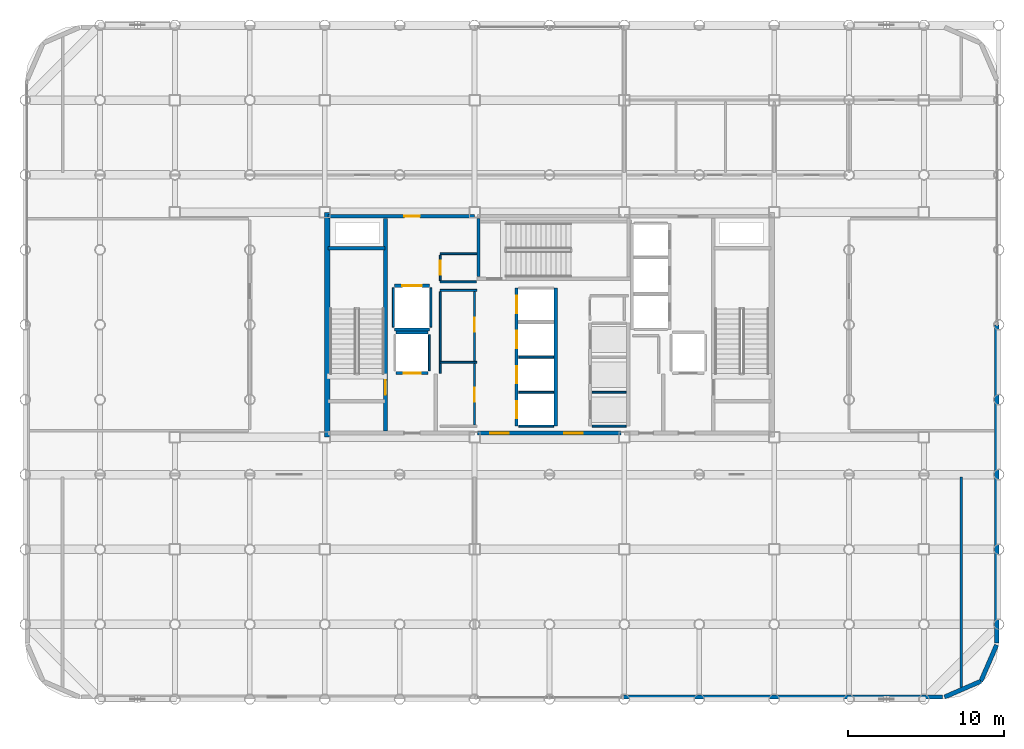
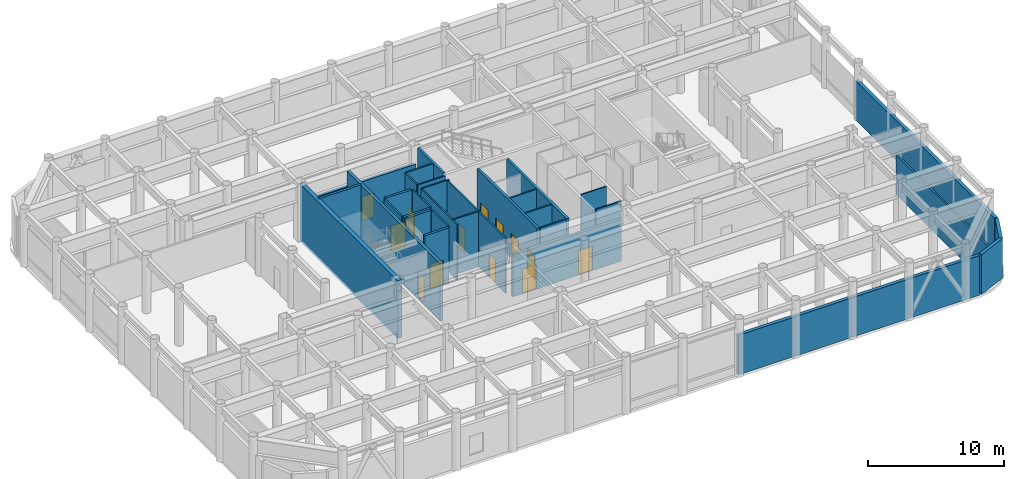
# One storey, part 16 of 20: 32 walls, 13 doors, 13 openings.
"""IFC4 building model written with IfcOpenShell, lengths in metres."""

from ifc_helpers import new_model, si_unit, direction, frame, frame_2d, origin, place, context, subcontext, project, spatial, rectangle, extrude, material, layer, layer_set, type_object, element, fill, save


model = new_model("IFC4")

# Units and contexts
model_context = context("Model", 3, precision=1e-05, world=origin(), true_north=direction((0.0, 1.0)))
body_context = subcontext(model_context, "Body", "Model", "MODEL_VIEW")
ifc_project = project(units=[si_unit("LENGTHUNIT", "METRE"), si_unit("AREAUNIT", "SQUARE_METRE"), si_unit("VOLUMEUNIT", "CUBIC_METRE"), si_unit("PLANEANGLEUNIT", "RADIAN"), si_unit("MASSUNIT", "GRAM", prefix="KILO")], contexts=[model_context])

# Site, building, storey
site_placement = place(None, origin())
site = spatial("IfcSite", under=ifc_project, at=site_placement, CompositionType="ELEMENT")
building_placement = place(site_placement, origin())
building = spatial("IfcBuilding", under=site, at=building_placement, Name="Kallvorn Hotel Tower", CompositionType="ELEMENT")
storey_placement = place(building_placement, frame((0.0, 0.0, 180.300048828125)))
storey = spatial("IfcBuildingStorey", under=building, at=storey_placement, Name="L45", CompositionType="ELEMENT", Elevation=180.300048828125)

# Walls
ifc_material_1 = material(Name="Concrete C50/60", Category="concrete")
ifc_layer_1 = layer(ifc_material_1, 0.35009765625)
ifc_layer_set_1 = layer_set([ifc_layer_1], Name="WL_CORE_350")
wall_type_1 = type_object("IfcWallType", Name="WL_CORE_350", PredefinedType="SHEAR", material=ifc_layer_set_1)
wall_1_placement = place(storey_placement, frame((-14.239990234375, -7.199951171875, -0.219970703125), z_axis=(0.0, 0.0, 1.0), x_axis=(0.0, 1.0, 0.0)))
element("IfcWall", 1, at=wall_1_placement, inside=storey, type_object=wall_type_1, Name="L45 Core West Shear Wall", PredefinedType="SHEAR", context=body_context, shape_type="SweptSolid", body=[
    extrude(rectangle(XDim=14.39990234375, YDim=0.35009765625, at=frame_2d((7.199951171875, 0.0))), origin(), (0.0, 0.0, 1.0), 5.169921875),
])
ifc_material_2 = material(Name="Precast basalt-clad insulated concrete wall C40/50", Category="masonry")
ifc_layer_2 = layer(ifc_material_2, 0.280029296875)
ifc_layer_set_2 = layer_set([ifc_layer_2], Name="WL_EXT_LOGGIA_280")
wall_type_2 = type_object("IfcWallType", Name="WL_EXT_LOGGIA_280", PredefinedType="SOLIDWALL", material=ifc_layer_set_2)
wall_2_placement = place(storey_placement, frame((25.32080078125, -23.85791015625, 0.0), z_axis=(0.0, 0.0, 1.0), x_axis=(0.917060872934, 0.398747232384, 0.0)))
element("IfcWall", 2, at=wall_2_placement, inside=storey, type_object=wall_type_2, Name="L45 Rounded Corner Exterior Wall SE1", PredefinedType="SOLIDWALL", context=body_context, shape_type="SweptSolid", body=[
    extrude(rectangle(XDim=2.5361328125, YDim=0.280029296875, at=frame_2d((1.26806640625, 0.0))), origin(), (0.0, 0.0, 1.0), 3.550048828125),
])
wall_3_placement = place(storey_placement, frame((27.646484375, -22.8466796875, 0.0), z_axis=(0.0, 0.0, 1.0), x_axis=(0.398792985289, 0.917040977756, 0.0)))
element("IfcWall", 3, at=wall_3_placement, inside=storey, type_object=wall_type_2, Name="L45 Rounded Corner Exterior Wall SE2", PredefinedType="SOLIDWALL", context=body_context, shape_type="SweptSolid", body=[
    extrude(rectangle(XDim=2.536376953125, YDim=0.280029296875, at=frame_2d((1.26806640625, 0.0))), origin(), (0.0, 0.0, 1.0), 3.550048828125),
])
wall_4_placement = place(storey_placement, frame((4.75, -23.860107421875, 0.0), z_axis=(0.0, 0.0, 1.0), x_axis=(1.0, 0.0, 0.0)))
element("IfcWall", 4, at=wall_4_placement, inside=storey, type_object=wall_type_2, Name="L45 Exterior Envelope Wall EW-L45-SE", PredefinedType="SOLIDWALL", context=body_context, shape_type="SweptSolid", body=[
    extrude(rectangle(XDim=20.449951171875, YDim=0.280029296875, at=frame_2d((10.22509765625, 0.0))), origin(), (0.0, 0.0, 1.0), 3.550048828125),
])
wall_5_placement = place(storey_placement, frame((28.659912109375, -20.39990234375, 0.0), z_axis=(0.0, 0.0, 1.0), x_axis=(0.0, 1.0, 0.0)))
element("IfcWall", 5, at=wall_5_placement, inside=storey, type_object=wall_type_2, Name="L45 Exterior Envelope Wall EW-L45-ES", PredefinedType="SOLIDWALL", context=body_context, shape_type="SweptSolid", body=[
    extrude(rectangle(XDim=20.3798828125, YDim=0.280029296875, at=frame_2d((10.18994140625, 0.0))), origin(), (0.0, 0.0, 1.0), 3.550048828125),
])
ifc_material_3 = material(Name="Concrete C40/50", Category="concrete")
ifc_layer_3 = layer(ifc_material_3, 0.199951171875)
ifc_layer_set_3 = layer_set([ifc_layer_3], Name="WL_HOIST_200")
wall_type_3 = type_object("IfcWallType", Name="WL_HOIST_200", PredefinedType="SOLIDWALL", material=ifc_layer_set_3)
wall_6_placement = place(storey_placement, frame((-14.199951171875, 4.89990234375, -0.219970703125), z_axis=(0.0, 0.0, 1.0), x_axis=(1.0, 0.0, 0.0)))
element("IfcWall", 6, at=wall_6_placement, inside=storey, type_object=wall_type_3, Name="L45 Stair ST1 North Wall", PredefinedType="SOLIDWALL", context=body_context, shape_type="SweptSolid", body=[
    extrude(rectangle(XDim=3.64990234375, YDim=0.199951171875, at=frame_2d((1.824951171875, 0.0))), origin(), (0.0, 0.0, 1.0), 5.169921875),
])
wall_7_placement = place(storey_placement, frame((-4.550048828125, 3.080078125, -0.219970703125), z_axis=(0.0, 0.0, 1.0), x_axis=(0.0, 1.0, 0.0)))
element("IfcWall", 7, at=wall_7_placement, inside=storey, type_object=wall_type_3, Name="L45 Stair ST3 West Wall", PredefinedType="SOLIDWALL", context=body_context, shape_type="SweptSolid", body=[
    extrude(rectangle(XDim=3.739990234375, YDim=0.199951171875, at=frame_2d((1.8701171875, 0.0))), origin(), (0.0, 0.0, 1.0), 5.169921875),
])

# Wall, openings, doors
wall_8_placement = place(storey_placement, frame((-2.10009765625, -6.5, 0.0), z_axis=(0.0, 0.0, 1.0), x_axis=(0.0, 1.0, 0.0)))
wall_8 = element("IfcWall", 8, at=wall_8_placement, inside=storey, type_object=wall_type_3, Name="L45 Lift Bank B2 Landing Wall", PredefinedType="SOLIDWALL", context=body_context, shape_type="SweptSolid", body=[
    extrude(rectangle(XDim=8.85009765625, YDim=0.199951171875, at=frame_2d((4.425048828125, 0.0))), origin(), (0.0, 0.0, 1.0), 4.949951171875),
])
opening_1_placement = place(wall_8_placement, frame((0.5, 0.0, 0.0)))
opening_1 = element("IfcOpeningElement", 9, at=opening_1_placement, cuts=wall_8, Name="Opening LD-PL-05", PredefinedType="OPENING", context=body_context, shape_type="SweptSolid", body=[
    extrude(rectangle(XDim=1.10009765625, YDim=2.199951171875, at=frame_2d((0.550048828125, 1.10009765625))), frame((0.0, 0.114990234375, 0.0), z_axis=(0.0, -1.0, 0.0), x_axis=(1.0, 0.0, 0.0)), (0.0, 0.0, 1.0), 0.22998046875),
])
opening_2_placement = place(wall_8_placement, frame((2.75, 0.0, 0.0)))
opening_2 = element("IfcOpeningElement", 10, at=opening_2_placement, cuts=wall_8, Name="Opening LD-PL-06", PredefinedType="OPENING", context=body_context, shape_type="SweptSolid", body=[
    extrude(rectangle(XDim=1.10009765625, YDim=2.199951171875, at=frame_2d((0.550048828125, 1.10009765625))), frame((0.0, 0.114990234375, 0.0), z_axis=(0.0, -1.0, 0.0), x_axis=(1.0, 0.0, 0.0)), (0.0, 0.0, 1.0), 0.22998046875),
])
opening_3_placement = place(wall_8_placement, frame((5.0, 0.0, 0.0)))
opening_3 = element("IfcOpeningElement", 11, at=opening_3_placement, cuts=wall_8, Name="Opening LD-PL-07", PredefinedType="OPENING", context=body_context, shape_type="SweptSolid", body=[
    extrude(rectangle(XDim=1.10009765625, YDim=2.199951171875, at=frame_2d((0.550048828125, 1.10009765625))), frame((0.0, 0.114990234375, 0.0), z_axis=(0.0, -1.0, 0.0), x_axis=(1.0, 0.0, 0.0)), (0.0, 0.0, 1.0), 0.22998046875),
])
opening_4_placement = place(wall_8_placement, frame((7.25, 0.0, 0.0)))
opening_4 = element("IfcOpeningElement", 12, at=opening_4_placement, cuts=wall_8, Name="Opening LD-PL-08", PredefinedType="OPENING", context=body_context, shape_type="SweptSolid", body=[
    extrude(rectangle(XDim=1.10009765625, YDim=2.199951171875, at=frame_2d((0.550048828125, 1.10009765625))), frame((0.0, 0.114990234375, 0.0), z_axis=(0.0, -1.0, 0.0), x_axis=(1.0, 0.0, 0.0)), (0.0, 0.0, 1.0), 0.22998046875),
])
ifc_material_4 = material(Name="Brushed stainless-steel automatic sliding lift landing door", Category="steel")
door_type_1 = type_object("IfcDoorType", Name="LD_PASS_1100x2200", OperationType="SLIDING_TO_LEFT", PredefinedType="DOOR", material=ifc_material_4)
door_1_placement = place(opening_1_placement, origin())
door_1 = element("IfcDoor", 13, at=door_1_placement, inside=storey, type_object=door_type_1, Name="L45 Lift Landing Sliding Door LD-PL-05", OperationType="SLIDING_TO_LEFT", OverallHeight=2.199951171875, OverallWidth=1.10009765625, PredefinedType="DOOR", context=body_context, shape_type="SweptSolid", body=[
    extrude(rectangle(XDim=1.10009765625, YDim=2.199951171875, at=frame_2d((0.550048828125, 1.10009765625))), frame((0.0, 0.02490234375, 0.0), z_axis=(0.0, -1.0, 0.0), x_axis=(1.0, 0.0, 0.0)), (0.0, 0.0, 1.0), 0.050048828125),
])
fill(opening_1, door_1)
door_2_placement = place(opening_2_placement, origin())
door_2 = element("IfcDoor", 14, at=door_2_placement, inside=storey, type_object=door_type_1, Name="L45 Lift Landing Sliding Door LD-PL-06", OperationType="SLIDING_TO_LEFT", OverallHeight=2.199951171875, OverallWidth=1.10009765625, PredefinedType="DOOR", context=body_context, shape_type="SweptSolid", body=[
    extrude(rectangle(XDim=1.10009765625, YDim=2.199951171875, at=frame_2d((0.550048828125, 1.10009765625))), frame((0.0, 0.02490234375, 0.0), z_axis=(0.0, -1.0, 0.0), x_axis=(1.0, 0.0, 0.0)), (0.0, 0.0, 1.0), 0.050048828125),
])
fill(opening_2, door_2)
door_3_placement = place(opening_3_placement, origin())
door_3 = element("IfcDoor", 15, at=door_3_placement, inside=storey, type_object=door_type_1, Name="L45 Lift Landing Sliding Door LD-PL-07", OperationType="SLIDING_TO_LEFT", OverallHeight=2.199951171875, OverallWidth=1.10009765625, PredefinedType="DOOR", context=body_context, shape_type="SweptSolid", body=[
    extrude(rectangle(XDim=1.10009765625, YDim=2.199951171875, at=frame_2d((0.550048828125, 1.10009765625))), frame((0.0, 0.02490234375, 0.0), z_axis=(0.0, -1.0, 0.0), x_axis=(1.0, 0.0, 0.0)), (0.0, 0.0, 1.0), 0.050048828125),
])
fill(opening_3, door_3)
door_4_placement = place(opening_4_placement, origin())
door_4 = element("IfcDoor", 16, at=door_4_placement, inside=storey, type_object=door_type_1, Name="L45 Lift Landing Sliding Door LD-PL-08", OperationType="SLIDING_TO_LEFT", OverallHeight=2.199951171875, OverallWidth=1.10009765625, PredefinedType="DOOR", context=body_context, shape_type="SweptSolid", body=[
    extrude(rectangle(XDim=1.10009765625, YDim=2.199951171875, at=frame_2d((0.550048828125, 1.10009765625))), frame((0.0, 0.02490234375, 0.0), z_axis=(0.0, -1.0, 0.0), x_axis=(1.0, 0.0, 0.0)), (0.0, 0.0, 1.0), 0.050048828125),
])
fill(opening_4, door_4)

# Wall
wall_9_placement = place(storey_placement, frame((0.39990234375, -6.5, 0.0), z_axis=(0.0, 0.0, 1.0), x_axis=(0.0, 1.0, 0.0)))
element("IfcWall", 17, at=wall_9_placement, inside=storey, type_object=wall_type_3, Name="L45 Lift Bank B2 Rear Shaft Wall", PredefinedType="SOLIDWALL", context=body_context, shape_type="SweptSolid", body=[
    extrude(rectangle(XDim=8.85009765625, YDim=0.199951171875, at=frame_2d((4.425048828125, 0.0))), origin(), (0.0, 0.0, 1.0), 4.949951171875),
])

# Wall, opening, door
wall_10_placement = place(storey_placement, frame((-9.820068359375, -3.10009765625, 0.0), z_axis=(0.0, 0.0, 1.0), x_axis=(1.0, 0.0, 0.0)))
wall_10 = element("IfcWall", 18, at=wall_10_placement, inside=storey, type_object=wall_type_3, Name="L45 FL-1 Landing Wall", PredefinedType="SOLIDWALL", context=body_context, shape_type="SweptSolid", body=[
    extrude(rectangle(XDim=2.0400390625, YDim=0.199951171875, at=frame_2d((1.02001953125, 0.0))), origin(), (0.0, 0.0, 1.0), 4.949951171875),
])
opening_5_placement = place(wall_10_placement, frame((0.469970703125, 0.0, 0.0)))
opening_5 = element("IfcOpeningElement", 19, at=opening_5_placement, cuts=wall_10, Name="Opening LD-FL-1", PredefinedType="OPENING", context=body_context, shape_type="SweptSolid", body=[
    extrude(rectangle(XDim=1.10009765625, YDim=2.199951171875, at=frame_2d((0.550048828125, 1.10009765625))), frame((0.0, 0.114990234375, 0.0), z_axis=(0.0, -1.0, 0.0), x_axis=(1.0, 0.0, 0.0)), (0.0, 0.0, 1.0), 0.22998046875),
])
door_5_placement = place(opening_5_placement, origin())
door_5 = element("IfcDoor", 20, at=door_5_placement, inside=storey, type_object=door_type_1, Name="L45 Lift Landing Sliding Door LD-FL-1", OperationType="SLIDING_TO_LEFT", OverallHeight=2.199951171875, OverallWidth=1.10009765625, PredefinedType="DOOR", context=body_context, shape_type="SweptSolid", body=[
    extrude(rectangle(XDim=1.10009765625, YDim=2.199951171875, at=frame_2d((0.550048828125, 1.10009765625))), frame((0.0, 0.02490234375, 0.0), z_axis=(0.0, -1.0, 0.0), x_axis=(1.0, 0.0, 0.0)), (0.0, 0.0, 1.0), 0.050048828125),
])
fill(opening_5, door_5)

# Wall
wall_11_placement = place(storey_placement, frame((-9.820068359375, -0.5, 0.0), z_axis=(0.0, 0.0, 1.0), x_axis=(1.0, 0.0, 0.0)))
element("IfcWall", 21, at=wall_11_placement, inside=storey, type_object=wall_type_3, Name="L45 FL-1 Rear Shaft Wall", PredefinedType="SOLIDWALL", context=body_context, shape_type="SweptSolid", body=[
    extrude(rectangle(XDim=2.0400390625, YDim=0.199951171875, at=frame_2d((1.02001953125, 0.0))), origin(), (0.0, 0.0, 1.0), 4.949951171875),
])

# Wall, opening, door
wall_12_placement = place(storey_placement, frame((-9.919921875, 2.5, 0.0), z_axis=(0.0, 0.0, 1.0), x_axis=(1.0, 0.0, 0.0)))
wall_12 = element("IfcWall", 22, at=wall_12_placement, inside=storey, type_object=wall_type_3, Name="L45 SV-01 Landing Wall", PredefinedType="SOLIDWALL", context=body_context, shape_type="SweptSolid", body=[
    extrude(rectangle(XDim=2.239990234375, YDim=0.199951171875, at=frame_2d((1.1201171875, 0.0))), origin(), (0.0, 0.0, 1.0), 4.949951171875),
])
opening_6_placement = place(wall_12_placement, frame((0.4951171875, 0.0, 0.0)))
opening_6 = element("IfcOpeningElement", 23, at=opening_6_placement, cuts=wall_12, Name="Opening LD-SV-01", PredefinedType="OPENING", context=body_context, shape_type="SweptSolid", body=[
    extrude(rectangle(XDim=1.25, YDim=2.25, at=frame_2d((0.625, 1.125))), frame((0.0, 0.114990234375, 0.0), z_axis=(0.0, -1.0, 0.0), x_axis=(1.0, 0.0, 0.0)), (0.0, 0.0, 1.0), 0.22998046875),
])
ifc_material_5 = material(Name="Brushed stainless-steel automatic sliding lift landing door", Category="steel")
door_type_2 = type_object("IfcDoorType", Name="LD_SERV_1250x2250", OperationType="SLIDING_TO_LEFT", PredefinedType="DOOR", material=ifc_material_5)
door_6_placement = place(opening_6_placement, origin())
door_6 = element("IfcDoor", 24, at=door_6_placement, inside=storey, type_object=door_type_2, Name="L45 Lift Landing Sliding Door LD-SV-01", OperationType="SLIDING_TO_LEFT", OverallHeight=2.25, OverallWidth=1.25, PredefinedType="DOOR", context=body_context, shape_type="SweptSolid", body=[
    extrude(rectangle(XDim=1.25, YDim=2.25, at=frame_2d((0.625, 1.125))), frame((0.0, 0.02490234375, 0.0), z_axis=(0.0, -1.0, 0.0), x_axis=(1.0, 0.0, 0.0)), (0.0, 0.0, 1.0), 0.050048828125),
])
fill(opening_6, door_6)

# Walls
wall_13_placement = place(storey_placement, frame((-9.919921875, -0.300048828125, 0.0), z_axis=(0.0, 0.0, 1.0), x_axis=(1.0, 0.0, 0.0)))
element("IfcWall", 25, at=wall_13_placement, inside=storey, type_object=wall_type_3, Name="L45 SV-01 Rear Shaft Wall", PredefinedType="SOLIDWALL", context=body_context, shape_type="SweptSolid", body=[
    extrude(rectangle(XDim=2.239990234375, YDim=0.199951171875, at=frame_2d((1.1201171875, 0.0))), origin(), (0.0, 0.0, 1.0), 4.949951171875),
])
ifc_material_6 = material(Name="Fire-rated double-layer acoustic gypsum drywall EI 60")
ifc_layer_4 = layer(ifc_material_6, 0.1201171875)
ifc_layer_set_4 = layer_set([ifc_layer_4], Name="WL_INT_120")
wall_type_4 = type_object("IfcWallType", Name="WL_INT_120", PredefinedType="PARTITIONING", material=ifc_layer_set_4)
for number, where, z_axis, x_axis, name in (
    (26, (-1.9599609375, -6.5, 0.0), (0.0, 0.0, 1.0), (1.0, 0.0, 0.0), "L45 Lift Bank B2 South Closure Wall"),
    (27, (-1.9599609375, -4.324951171875, 0.0), (0.0, 0.0, 1.0), (1.0, 0.0, 0.0), "L45 PL-05 Hoistway Divider"),
    (28, (-1.9599609375, -2.074951171875, 0.0), (0.0, 0.0, 1.0), (1.0, 0.0, 0.0), "L45 PL-06 Hoistway Divider"),
):
    element("IfcWall", number, at=place(storey_placement, frame(where, z_axis=z_axis, x_axis=x_axis)), inside=storey, type_object=wall_type_4, Name=name, PredefinedType="PARTITIONING", context=body_context, shape_type="SweptSolid", body=[
        extrude(rectangle(XDim=2.219970703125, YDim=0.1201171875, at=frame_2d((1.10986328125, 0.0))), origin(), (0.0, 0.0, 1.0), 4.949951171875),
    ])
for number, where, z_axis, x_axis, name in (
    (29, (2.739990234375, -6.5, 0.0), (0.0, 0.0, 1.0), (1.0, 0.0, 0.0), "L45 Lift Bank B3A South Closure Wall"),
    (30, (2.739990234375, -4.324951171875, 0.0), (0.0, 0.0, 1.0), (1.0, 0.0, 0.0), "L45 PL-09 Hoistway Divider"),
):
    element("IfcWall", number, at=place(storey_placement, frame(where, z_axis=z_axis, x_axis=x_axis)), inside=storey, type_object=wall_type_4, Name=name, PredefinedType="PARTITIONING", context=body_context, shape_type="SweptSolid", body=[
        extrude(rectangle(XDim=2.169921875, YDim=0.1201171875, at=frame_2d((1.0849609375, 0.0))), origin(), (0.0, 0.0, 1.0), 4.949951171875),
    ])
wall_14_placement = place(storey_placement, frame((-7.699951171875, -2.9599609375, 0.0), z_axis=(0.0, 0.0, 1.0), x_axis=(0.0, 1.0, 0.0)))
element("IfcWall", 31, at=wall_14_placement, inside=storey, type_object=wall_type_4, Name="L45 FL-1 East Shaft Wall", PredefinedType="PARTITIONING", context=body_context, shape_type="SweptSolid", body=[
    extrude(rectangle(XDim=2.320068359375, YDim=0.1201171875, at=frame_2d((1.16015625, 0.0))), origin(), (0.0, 0.0, 1.0), 4.949951171875),
])
for number, where, z_axis, x_axis, name in (
    (32, (-10.0, -0.159912109375, 0.0), (0.0, 0.0, 1.0), (0.0, 1.0, 0.0), "L45 SV-01 West Shaft Wall"),
    (33, (-7.60009765625, -0.159912109375, 0.0), (0.0, 0.0, 1.0), (0.0, 1.0, 0.0), "L45 SV-01 East Shaft Wall"),
):
    element("IfcWall", number, at=place(storey_placement, frame(where, z_axis=z_axis, x_axis=x_axis)), inside=storey, type_object=wall_type_4, Name=name, PredefinedType="PARTITIONING", context=body_context, shape_type="SweptSolid", body=[
        extrude(rectangle(XDim=2.52001953125, YDim=0.1201171875, at=frame_2d((1.260009765625, 0.0))), origin(), (0.0, 0.0, 1.0), 4.949951171875),
    ])
for number, where, z_axis, x_axis, name in (
    (34, (-7.0, -2.39990234375, 0.0), (0.0, 0.0, 1.0), (1.0, 0.0, 0.0), "L45 Recaptured Central Linen Store Partition"),
    (35, (-7.0, 2.199951171875, 0.0), (0.0, 0.0, 1.0), (1.0, 0.0, 0.0), "L45 Recaptured Central Linen Store Partition"),
):
    element("IfcWall", number, at=place(storey_placement, frame(where, z_axis=z_axis, x_axis=x_axis)), inside=storey, type_object=wall_type_4, Name=name, PredefinedType="PARTITIONING", context=body_context, shape_type="SweptSolid", body=[
        extrude(rectangle(XDim=2.35009765625, YDim=0.1201171875, at=frame_2d((1.175048828125, 0.0))), origin(), (0.0, 0.0, 1.0), 4.949951171875),
    ])
wall_15_placement = place(storey_placement, frame((-7.0, 2.75, 0.0), z_axis=(0.0, 0.0, 1.0), x_axis=(1.0, 0.0, 0.0)))
element("IfcWall", 36, at=wall_15_placement, inside=storey, type_object=wall_type_4, Name="L45 Recaptured North Valet Closet Partition", PredefinedType="PARTITIONING", context=body_context, shape_type="SweptSolid", body=[
    extrude(rectangle(XDim=2.31005859375, YDim=0.1201171875, at=frame_2d((1.155029296875, 0.0))), origin(), (0.0, 0.0, 1.0), 4.949951171875),
])
wall_16_placement = place(storey_placement, frame((-7.0, 4.550048828125, 0.0), z_axis=(0.0, 0.0, 1.0), x_axis=(1.0, 0.0, 0.0)))
element("IfcWall", 37, at=wall_16_placement, inside=storey, type_object=wall_type_4, Name="L45 Recaptured North Valet Closet Partition", PredefinedType="PARTITIONING", context=body_context, shape_type="SweptSolid", body=[
    extrude(rectangle(XDim=2.35009765625, YDim=0.1201171875, at=frame_2d((1.175048828125, 0.0))), origin(), (0.0, 0.0, 1.0), 4.949951171875),
])
wall_17_placement = place(storey_placement, frame((-7.0, -3.110107421875, 0.0), z_axis=(0.0, 0.0, 1.0), x_axis=(0.0, 1.0, 0.0)))
element("IfcWall", 38, at=wall_17_placement, inside=storey, type_object=wall_type_4, Name="L45 Recaptured South Minibar Pantry Partition", PredefinedType="PARTITIONING", context=body_context, shape_type="SweptSolid", body=[
    extrude(rectangle(XDim=5.22509765625, YDim=0.1201171875, at=frame_2d((2.612548828125, 0.0))), origin(), (0.0, 0.0, 1.0), 4.949951171875),
])

# Wall, opening, door
wall_18_placement = place(storey_placement, frame((-7.0, 2.8349609375, 0.0), z_axis=(0.0, 0.0, 1.0), x_axis=(0.0, 1.0, 0.0)))
wall_18 = element("IfcWall", 39, at=wall_18_placement, inside=storey, type_object=wall_type_4, Name="L45 Recaptured North Valet Closet Partition", PredefinedType="PARTITIONING", context=body_context, shape_type="SweptSolid", body=[
    extrude(rectangle(XDim=1.630126953125, YDim=0.1201171875, at=frame_2d((0.81494140625, 0.0))), origin(), (0.0, 0.0, 1.0), 4.949951171875),
])
opening_7_placement = place(wall_18_placement, frame((0.364990234375, 0.0, 0.0)))
opening_7 = element("IfcOpeningElement", 40, at=opening_7_placement, cuts=wall_18, Name="Opening SVD1", PredefinedType="OPENING", context=body_context, shape_type="SweptSolid", body=[
    extrude(rectangle(XDim=0.89990234375, YDim=2.10009765625, at=frame_2d((0.449951171875, 1.050048828125))), frame((0.0, 0.074951171875, 0.0), z_axis=(0.0, -1.0, 0.0), x_axis=(1.0, 0.0, 0.0)), (0.0, 0.0, 1.0), 0.150146484375),
])
ifc_material_7 = material(Name="Galvanised painted steel fire-rated door assembly", Category="steel")
door_type_3 = type_object("IfcDoorType", Name="DR_SERV_900x2100", OperationType="NOTDEFINED", PredefinedType="DOOR", material=ifc_material_7)
door_7_placement = place(opening_7_placement, origin())
door_7 = element("IfcDoor", 41, at=door_7_placement, inside=storey, type_object=door_type_3, Name="L45 Recaptured North Valet Closet Door", OperationType="SINGLE_SWING_RIGHT", OverallHeight=2.10009765625, OverallWidth=0.89990234375, PredefinedType="DOOR", context=body_context, shape_type="SweptSolid", body=[
    extrude(rectangle(XDim=0.89990234375, YDim=2.10009765625, at=frame_2d((0.449951171875, 1.050048828125))), frame((0.0, 0.02490234375, 0.0), z_axis=(0.0, -1.0, 0.0), x_axis=(1.0, 0.0, 0.0)), (0.0, 0.0, 1.0), 0.050048828125),
])
fill(opening_7, door_7)

# Wall, openings, doors
wall_19_placement = place(storey_placement, frame((-4.800048828125, -6.4150390625, 0.0), z_axis=(0.0, 0.0, 1.0), x_axis=(0.0, 1.0, 0.0)))
wall_19 = element("IfcWall", 42, at=wall_19_placement, inside=storey, type_object=wall_type_4, Name="L45 Recaptured South Minibar Pantry Partition", PredefinedType="PARTITIONING", context=body_context, shape_type="SweptSolid", body=[
    extrude(rectangle(XDim=8.530029296875, YDim=0.1201171875, at=frame_2d((4.26513671875, 0.0))), origin(), (0.0, 0.0, 1.0), 4.949951171875),
])
opening_8_placement = place(wall_19_placement, frame((1.465087890625, 0.0, 0.0)))
opening_8 = element("IfcOpeningElement", 43, at=opening_8_placement, cuts=wall_19, Name="Opening SVD1", PredefinedType="OPENING", context=body_context, shape_type="SweptSolid", body=[
    extrude(rectangle(XDim=0.89990234375, YDim=2.10009765625, at=frame_2d((0.449951171875, 1.050048828125))), frame((0.0, 0.074951171875, 0.0), z_axis=(0.0, -1.0, 0.0), x_axis=(1.0, 0.0, 0.0)), (0.0, 0.0, 1.0), 0.150146484375),
])
opening_9_placement = place(wall_19_placement, frame((5.965087890625, 0.0, 0.0)))
opening_9 = element("IfcOpeningElement", 44, at=opening_9_placement, cuts=wall_19, Name="Opening SVD1", PredefinedType="OPENING", context=body_context, shape_type="SweptSolid", body=[
    extrude(rectangle(XDim=0.89990234375, YDim=2.10009765625, at=frame_2d((0.449951171875, 1.050048828125))), frame((0.0, 0.074951171875, 0.0), z_axis=(0.0, -1.0, 0.0), x_axis=(1.0, 0.0, 0.0)), (0.0, 0.0, 1.0), 0.150146484375),
])
door_8_placement = place(opening_8_placement, origin())
door_8 = element("IfcDoor", 45, at=door_8_placement, inside=storey, type_object=door_type_3, Name="L45 Recaptured South Minibar Pantry Door", OperationType="SINGLE_SWING_LEFT", OverallHeight=2.10009765625, OverallWidth=0.89990234375, PredefinedType="DOOR", context=body_context, shape_type="SweptSolid", body=[
    extrude(rectangle(XDim=0.89990234375, YDim=2.10009765625, at=frame_2d((0.449951171875, 1.050048828125))), frame((0.0, 0.02490234375, 0.0), z_axis=(0.0, -1.0, 0.0), x_axis=(1.0, 0.0, 0.0)), (0.0, 0.0, 1.0), 0.050048828125),
])
fill(opening_8, door_8)
door_9_placement = place(opening_9_placement, origin())
door_9 = element("IfcDoor", 46, at=door_9_placement, inside=storey, type_object=door_type_3, Name="L45 Recaptured Central Linen Store Door", OperationType="SINGLE_SWING_RIGHT", OverallHeight=2.10009765625, OverallWidth=0.89990234375, PredefinedType="DOOR", context=body_context, shape_type="SweptSolid", body=[
    extrude(rectangle(XDim=0.89990234375, YDim=2.10009765625, at=frame_2d((0.449951171875, 1.050048828125))), frame((0.0, 0.02490234375, 0.0), z_axis=(0.0, -1.0, 0.0), x_axis=(1.0, 0.0, 0.0)), (0.0, 0.0, 1.0), 0.050048828125),
])
fill(opening_9, door_9)

# Wall
ifc_material_8 = material(Name="Fire-rated double-layer acoustic gypsum drywall EI 60")
ifc_layer_5 = layer(ifc_material_8, 0.14990234375)
ifc_layer_set_5 = layer_set([ifc_layer_5], Name="WL_PART_150")
wall_type_5 = type_object("IfcWallType", Name="WL_PART_150", PredefinedType="PARTITIONING", material=ifc_layer_set_5)
wall_20_placement = place(storey_placement, frame((26.39990234375, -23.238525390625, 0.0), z_axis=(0.0, 0.0, 1.0), x_axis=(0.0, 1.0, 0.0)))
element("IfcWall", 47, at=wall_20_placement, inside=storey, type_object=wall_type_5, Name="L45 Altitude Sky Cocktail Bar Partition", PredefinedType="PARTITIONING", context=body_context, shape_type="SweptSolid", body=[
    extrude(rectangle(XDim=13.488525390625, YDim=0.14990234375, at=frame_2d((6.744140625, 0.0))), origin(), (0.0, 0.0, 1.0), 3.550048828125),
])

# Wall, openings, doors
ifc_material_9 = material(Name="Concrete C40/50", Category="concrete")
ifc_layer_6 = layer(ifc_material_9, 0.25)
ifc_layer_set_6 = layer_set([ifc_layer_6], Name="WL_SHAFT_250")
wall_type_6 = type_object("IfcWallType", Name="WL_SHAFT_250", PredefinedType="SOLIDWALL", material=ifc_layer_set_6)
wall_21_placement = place(storey_placement, frame((-4.60009765625, -6.949951171875, 0.0), z_axis=(0.0, 0.0, 1.0), x_axis=(1.0, 0.0, 0.0)))
wall_21 = element("IfcWall", 48, at=wall_21_placement, inside=storey, type_object=wall_type_6, Name="L45 Core South-Central Wall", PredefinedType="SOLIDWALL", context=body_context, shape_type="SweptSolid", body=[
    extrude(rectangle(XDim=9.2001953125, YDim=0.25, at=frame_2d((4.60009765625, 0.0))), origin(), (0.0, 0.0, 1.0), 3.75),
])
opening_10_placement = place(wall_21_placement, frame((0.800048828125, 0.0, 0.0)))
opening_10 = element("IfcOpeningElement", 49, at=opening_10_placement, cuts=wall_21, Name="Opening FD2", PredefinedType="OPENING", context=body_context, shape_type="SweptSolid", body=[
    extrude(rectangle(XDim=1.199951171875, YDim=2.199951171875, at=frame_2d((0.60009765625, 1.10009765625))), frame((0.0, 0.139892578125, 0.0), z_axis=(0.0, -1.0, 0.0), x_axis=(1.0, 0.0, 0.0)), (0.0, 0.0, 1.0), 0.280029296875),
])
opening_11_placement = place(wall_21_placement, frame((5.550048828125, 0.0, 0.0)))
opening_11 = element("IfcOpeningElement", 50, at=opening_11_placement, cuts=wall_21, Name="Opening FD2", PredefinedType="OPENING", context=body_context, shape_type="SweptSolid", body=[
    extrude(rectangle(XDim=1.199951171875, YDim=2.199951171875, at=frame_2d((0.60009765625, 1.10009765625))), frame((0.0, 0.139892578125, 0.0), z_axis=(0.0, -1.0, 0.0), x_axis=(1.0, 0.0, 0.0)), (0.0, 0.0, 1.0), 0.280029296875),
])
ifc_material_10 = material(Name="Galvanised painted steel fire-rated door assembly", Category="steel")
door_type_4 = type_object("IfcDoorType", Name="DR_LOBBY_1200x2200", OperationType="DOUBLE_DOOR_SINGLE_SWING", PredefinedType="DOOR", material=ifc_material_10)
door_10_placement = place(opening_10_placement, origin())
door_10 = element("IfcDoor", 51, at=door_10_placement, inside=storey, type_object=door_type_4, Name="L45 West Passenger Lift Lobby Door", OperationType="DOUBLE_DOOR_SINGLE_SWING", OverallHeight=2.199951171875, OverallWidth=1.199951171875, PredefinedType="DOOR", context=body_context, shape_type="SweptSolid", body=[
    extrude(rectangle(XDim=1.199951171875, YDim=2.199951171875, at=frame_2d((0.60009765625, 1.10009765625))), frame((0.0, 0.02490234375, 0.0), z_axis=(0.0, -1.0, 0.0), x_axis=(1.0, 0.0, 0.0)), (0.0, 0.0, 1.0), 0.050048828125),
])
fill(opening_10, door_10)
door_11_placement = place(opening_11_placement, origin())
door_11 = element("IfcDoor", 52, at=door_11_placement, inside=storey, type_object=door_type_4, Name="L45 East Passenger Lift Lobby Door", OperationType="DOUBLE_DOOR_SINGLE_SWING", OverallHeight=2.199951171875, OverallWidth=1.199951171875, PredefinedType="DOOR", context=body_context, shape_type="SweptSolid", body=[
    extrude(rectangle(XDim=1.199951171875, YDim=2.199951171875, at=frame_2d((0.60009765625, 1.10009765625))), frame((0.0, 0.02490234375, 0.0), z_axis=(0.0, -1.0, 0.0), x_axis=(1.0, 0.0, 0.0)), (0.0, 0.0, 1.0), 0.050048828125),
])
fill(opening_11, door_11)

# Wall, opening, door
wall_22_placement = place(storey_placement, frame((-14.199951171875, 6.949951171875, 0.0), z_axis=(0.0, 0.0, 1.0), x_axis=(1.0, 0.0, 0.0)))
wall_22 = element("IfcWall", 53, at=wall_22_placement, inside=storey, type_object=wall_type_6, Name="L45 Core North-West Wall", PredefinedType="SOLIDWALL", context=body_context, shape_type="SweptSolid", body=[
    extrude(rectangle(XDim=9.39990234375, YDim=0.25, at=frame_2d((4.699951171875, 0.0))), origin(), (0.0, 0.0, 1.0), 3.550048828125),
])
opening_12_placement = place(wall_22_placement, frame((4.89990234375, 0.0, 0.0)))
opening_12 = element("IfcOpeningElement", 54, at=opening_12_placement, cuts=wall_22, Name="Opening FD1", PredefinedType="OPENING", context=body_context, shape_type="SweptSolid", body=[
    extrude(rectangle(XDim=1.0, YDim=2.14990234375, at=frame_2d((0.5, 1.074951171875))), frame((0.0, 0.139892578125, 0.0), z_axis=(0.0, -1.0, 0.0), x_axis=(1.0, 0.0, 0.0)), (0.0, 0.0, 1.0), 0.280029296875),
])
ifc_material_11 = material(Name="Galvanised painted steel fire-rated door assembly", Category="steel")
door_type_5 = type_object("IfcDoorType", Name="DR_FFL_1000x2150", OperationType="NOTDEFINED", PredefinedType="DOOR", material=ifc_material_11)
door_12_placement = place(opening_12_placement, origin())
door_12 = element("IfcDoor", 55, at=door_12_placement, inside=storey, type_object=door_type_5, Name="L45 Service Lift Lobby Door", OperationType="SINGLE_SWING_RIGHT", OverallHeight=2.14990234375, OverallWidth=1.0, PredefinedType="DOOR", context=body_context, shape_type="SweptSolid", body=[
    extrude(rectangle(XDim=1.0, YDim=2.14990234375, at=frame_2d((0.5, 1.074951171875))), frame((0.0, 0.02490234375, 0.0), z_axis=(0.0, -1.0, 0.0), x_axis=(1.0, 0.0, 0.0)), (0.0, 0.0, 1.0), 0.050048828125),
])
fill(opening_12, door_12)

wall_23_placement = place(storey_placement, frame((-10.5, -6.820068359375, -0.219970703125), z_axis=(0.0, 0.0, 1.0), x_axis=(0.0, 1.0, 0.0)))
wall_23 = element("IfcWall", 56, at=wall_23_placement, inside=storey, type_object=wall_type_6, Name="L45 Stair ST1 Shaft Wall", PredefinedType="SOLIDWALL", context=body_context, shape_type="SweptSolid", body=[
    extrude(rectangle(XDim=13.64013671875, YDim=0.25, at=frame_2d((6.820068359375, 0.0))), origin(), (0.0, 0.0, 1.0), 5.169921875),
])
opening_13_placement = place(wall_23_placement, frame((2.320068359375, 0.0, 0.219970703125)))
opening_13 = element("IfcOpeningElement", 57, at=opening_13_placement, cuts=wall_23, Name="Opening SD1", PredefinedType="OPENING", context=body_context, shape_type="SweptSolid", body=[
    extrude(rectangle(XDim=0.949951171875, YDim=2.14990234375, at=frame_2d((0.47509765625, 1.074951171875))), frame((0.0, 0.139892578125, 0.0), z_axis=(0.0, -1.0, 0.0), x_axis=(1.0, 0.0, 0.0)), (0.0, 0.0, 1.0), 0.280029296875),
])
ifc_material_12 = material(Name="Galvanised painted steel fire-rated door assembly", Category="steel")
door_type_6 = type_object("IfcDoorType", Name="DR_STAIR_950x2150", OperationType="NOTDEFINED", PredefinedType="DOOR", material=ifc_material_12)
door_13_placement = place(opening_13_placement, origin())
door_13 = element("IfcDoor", 58, at=door_13_placement, inside=storey, type_object=door_type_6, Name="L45 Exit Stair ST1 Fire Door", OperationType="SINGLE_SWING_RIGHT", OverallHeight=2.14990234375, OverallWidth=0.949951171875, PredefinedType="DOOR", context=body_context, shape_type="SweptSolid", body=[
    extrude(rectangle(XDim=0.949951171875, YDim=2.14990234375, at=frame_2d((0.47509765625, 1.074951171875))), frame((0.0, 0.02490234375, 0.0), z_axis=(0.0, -1.0, 0.0), x_axis=(1.0, 0.0, 0.0)), (0.0, 0.0, 1.0), 0.050048828125),
])
fill(opening_13, door_13)

save(model, "model.ifc")
